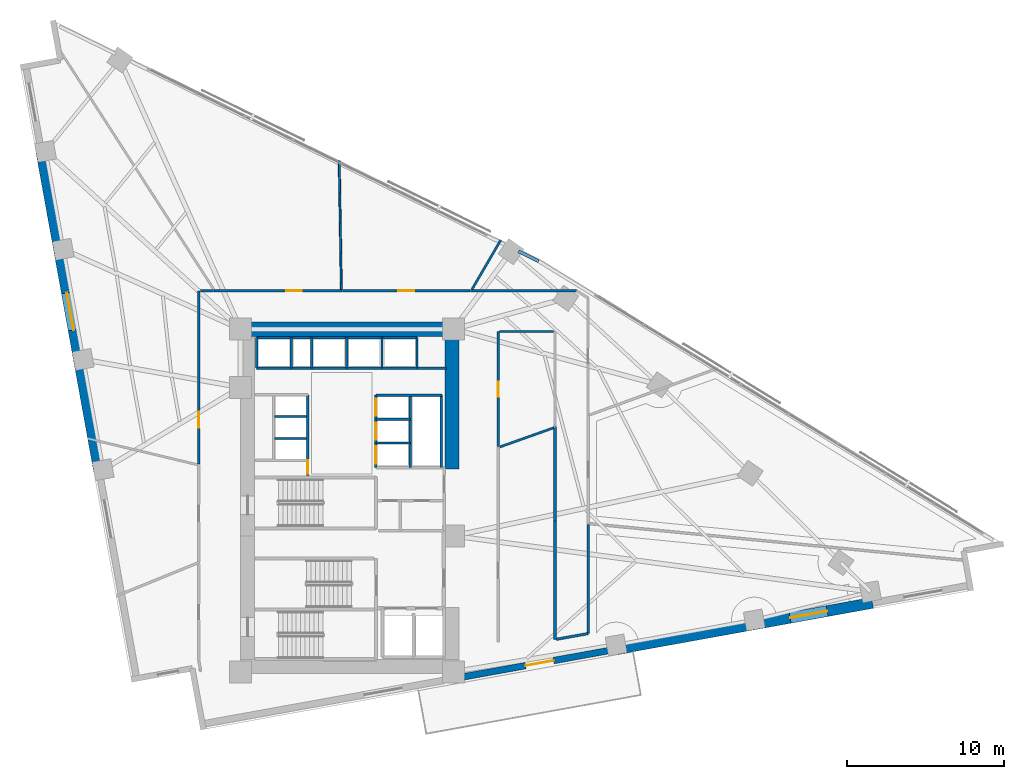
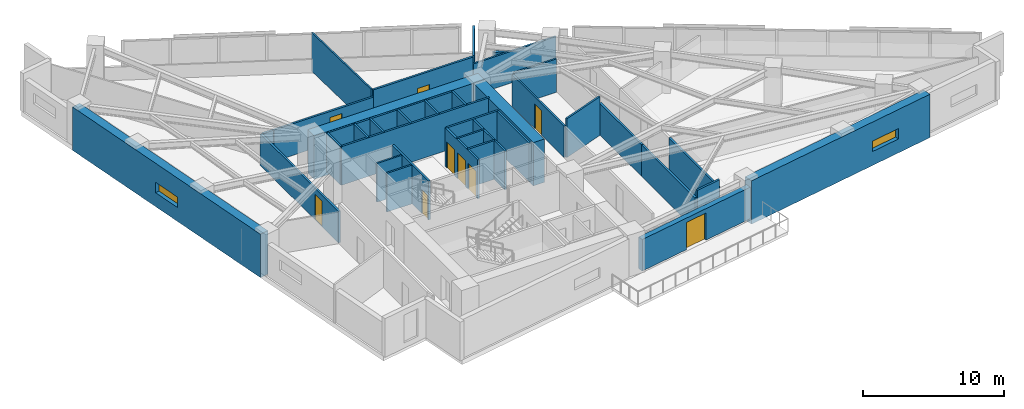
# One storey, part 14 of 18: 38 walls, 9 doors, 2 windows, 11 openings.
"""IFC4 building model written with IfcOpenShell, lengths in metres."""

from ifc_helpers import new_model, si_unit, direction, frame, frame_2d, origin, place, context, subcontext, project, spatial, rectangle, extrude, material, layer, layer_set, type_object, element, fill, save


model = new_model("IFC4")

# Units and contexts
model_context = context("Model", 3, precision=1e-05, world=origin(), true_north=direction((0.0, 1.0)))
body_context = subcontext(model_context, "Body", "Model", "MODEL_VIEW")
ifc_project = project(units=[si_unit("LENGTHUNIT", "METRE"), si_unit("AREAUNIT", "SQUARE_METRE"), si_unit("VOLUMEUNIT", "CUBIC_METRE"), si_unit("PLANEANGLEUNIT", "RADIAN"), si_unit("MASSUNIT", "GRAM", prefix="KILO")], contexts=[model_context])

# Site, building, storey
site_placement = place(None, origin())
site = spatial("IfcSite", under=ifc_project, at=site_placement, CompositionType="ELEMENT")
building_placement = place(site_placement, origin())
building = spatial("IfcBuilding", under=site, at=building_placement, Name="Narakoshi Arena Tower", CompositionType="ELEMENT")
storey_placement = place(building_placement, frame((0.0, 0.0, 95.699951171875)))
storey = spatial("IfcBuildingStorey", under=building, at=storey_placement, Name="L25", CompositionType="ELEMENT", Elevation=95.699951171875)

# Walls
ifc_material_1 = material(Name="Concrete C60/75", Category="concrete")
ifc_layer_1 = layer(ifc_material_1, 0.89990234375)
ifc_layer_set_1 = layer_set([ifc_layer_1], Name="Concrete C60/75")
wall_type_1 = type_object("IfcWallType", Name="WL-CORE-900", PredefinedType="SHEAR", material=ifc_layer_set_1)
wall_1_placement = place(storey_placement, frame((72.0, 56.5, -0.39990234375), z_axis=(0.0, 0.0, 1.0), x_axis=(1.0, 0.0, 0.0)))
element("IfcWall", 1, at=wall_1_placement, inside=storey, type_object=wall_type_1, Name="L25 Main Core Shear Wall CW-MN-N", PredefinedType="SHEAR", context=body_context, shape_type="SweptSolid", body=[
    extrude(rectangle(XDim=13.89990234375, YDim=0.89990234375, at=frame_2d((6.949951171875, 0.0))), origin(), (0.0, 0.0, 1.0), 3.739990234375),
])
wall_2_placement = place(storey_placement, frame((85.449951171875, 47.60009765625, -0.39990234375), z_axis=(0.0, 0.0, 1.0), x_axis=(0.0, 1.0, 0.0)))
element("IfcWall", 2, at=wall_2_placement, inside=storey, type_object=wall_type_1, Name="L25 Main Core Shear Wall CW-MN-E", PredefinedType="SHEAR", context=body_context, shape_type="SweptSolid", body=[
    extrude(rectangle(XDim=8.449951171875, YDim=0.89990234375, at=frame_2d((4.22509765625, 0.0))), origin(), (0.0, 0.0, 1.0), 3.739990234375),
])
ifc_material_2 = material(Name="Gypsum plasterboard fire-rated partition")
ifc_layer_2 = layer(ifc_material_2, 0.1650390625)
ifc_layer_set_2 = layer_set([ifc_layer_2], Name="Gypsum plasterboard fire-rated partition")
wall_type_2 = type_object("IfcWallType", Name="WL-CORR-165", PredefinedType="PARTITIONING", material=ifc_layer_set_2)
wall_3_placement = place(storey_placement, frame((92.0048828125, 44.284912109375, 0.0), z_axis=(0.0, 0.0, 1.0), x_axis=(0.0, -1.0, 0.0)))
element("IfcWall", 3, at=wall_3_placement, inside=storey, type_object=wall_type_2, Name="L25 Corridor Partition 04-2", PredefinedType="PARTITIONING", context=body_context, shape_type="SweptSolid", body=[
    extrude(rectangle(XDim=7.52880859375, YDim=0.1650390625, at=frame_2d((3.764404296875, 0.0))), origin(), (0.0, 0.0, 1.0), 2.72509765625),
])
wall_4_placement = place(storey_placement, frame((94.10498046875, 37.1357421875, 0.0), z_axis=(0.0, 0.0, 1.0), x_axis=(0.0, 1.0, 0.0)))
element("IfcWall", 4, at=wall_4_placement, inside=storey, type_object=wall_type_2, Name="L25 Corridor Partition 04-3", PredefinedType="PARTITIONING", context=body_context, shape_type="SweptSolid", body=[
    extrude(rectangle(XDim=6.94189453125, YDim=0.1650390625, at=frame_2d((3.470947265625, 0.0))), origin(), (0.0, 0.0, 1.0), 2.72509765625),
])
wall_5_placement = place(storey_placement, frame((92.0048828125, 50.294921875, 0.0), z_axis=(0.0, 0.0, 1.0), x_axis=(0.0, -1.0, 0.0)))
element("IfcWall", 5, at=wall_5_placement, inside=storey, type_object=wall_type_2, Name="L25 Corridor Partition 04-4", PredefinedType="PARTITIONING", context=body_context, shape_type="SweptSolid", body=[
    extrude(rectangle(XDim=5.986083984375, YDim=0.1650390625, at=frame_2d((2.9931640625, 0.0))), origin(), (0.0, 0.0, 1.0), 2.72509765625),
])
wall_6_placement = place(storey_placement, frame((92.099609375, 36.773193359375, 0.0), z_axis=(0.0, 0.0, 1.0), x_axis=(0.984047685875, 0.17790489573, 0.0)))
element("IfcWall", 6, at=wall_6_placement, inside=storey, type_object=wall_type_2, Name="L25 Corridor Partition 04-5", PredefinedType="PARTITIONING", context=body_context, shape_type="SweptSolid", body=[
    extrude(rectangle(XDim=2.037841796875, YDim=0.1650390625, at=frame_2d((1.01904296875, 0.0))), origin(), (0.0, 0.0, 1.0), 3.340087890625),
])

# Wall, opening, door
wall_7_placement = place(storey_placement, frame((78.44775390625, 58.944091796875, 0.0), z_axis=(0.0, 0.0, 1.0), x_axis=(-1.0, 0.0, 0.0)))
wall_7 = element("IfcWall", 7, at=wall_7_placement, inside=storey, type_object=wall_type_2, Name="L25 Corridor Partition 07-1", PredefinedType="PARTITIONING", context=body_context, shape_type="SweptSolid", body=[
    extrude(rectangle(XDim=8.12744140625, YDim=0.1650390625, at=frame_2d((4.063720703125, 0.0))), origin(), (0.0, 0.0, 1.0), 2.72509765625),
])
opening_1_placement = place(wall_7_placement, frame((2.5546875, 0.0, 0.0)))
opening_1 = element("IfcOpeningElement", 8, at=opening_1_placement, cuts=wall_7, Name="Opening D-06", PredefinedType="OPENING", context=body_context, shape_type="SweptSolid", body=[
    extrude(rectangle(XDim=1.0, YDim=2.199951171875, at=frame_2d((0.5, 1.10009765625))), frame((0.0, 0.092529296875, 0.0), z_axis=(0.0, -1.0, 0.0), x_axis=(1.0, 0.0, 0.0)), (0.0, 0.0, 1.0), 0.18505859375),
])
ifc_material_3 = material(Name="Stained oak solid-core timber", Category="wood")
door_type_1 = type_object("IfcDoorType", Name="DR-OFF-1000", OperationType="NOTDEFINED", PredefinedType="DOOR", material=ifc_material_3)
door_1_placement = place(opening_1_placement, frame((1.0, 0.0, 0.0), z_axis=(0.0, 0.0, 1.0), x_axis=(-1.0, 0.0, 0.0)))
door_1 = element("IfcDoor", 9, at=door_1_placement, inside=storey, type_object=door_type_1, Name="DR-L25-021", OperationType="SINGLE_SWING_LEFT", OverallHeight=2.199951171875, OverallWidth=1.0, PredefinedType="DOOR", context=body_context, shape_type="SweptSolid", body=[
    extrude(rectangle(XDim=1.0, YDim=2.199951171875, at=frame_2d((0.5, 1.10009765625))), frame((0.0, 0.02490234375, 0.0), z_axis=(0.0, -1.0, 0.0), x_axis=(1.0, 0.0, 0.0)), (0.0, 0.0, 1.0), 0.050048828125),
])
fill(opening_1, door_1)

wall_8_placement = place(storey_placement, frame((86.599365234375, 58.944091796875, 0.0), z_axis=(0.0, 0.0, 1.0), x_axis=(-1.0, 0.0, 0.0)))
wall_8 = element("IfcWall", 10, at=wall_8_placement, inside=storey, type_object=wall_type_2, Name="L25 Corridor Partition 08-1", PredefinedType="PARTITIONING", context=body_context, shape_type="SweptSolid", body=[
    extrude(rectangle(XDim=8.127685546875, YDim=0.1650390625, at=frame_2d((4.06396484375, 0.0))), origin(), (0.0, 0.0, 1.0), 3.340087890625),
])
opening_2_placement = place(wall_8_placement, frame((3.563720703125, 0.0, 0.0)))
opening_2 = element("IfcOpeningElement", 11, at=opening_2_placement, cuts=wall_8, Name="Opening D-06", PredefinedType="OPENING", context=body_context, shape_type="SweptSolid", body=[
    extrude(rectangle(XDim=1.0, YDim=2.199951171875, at=frame_2d((0.5, 1.10009765625))), frame((0.0, 0.092529296875, 0.0), z_axis=(0.0, -1.0, 0.0), x_axis=(1.0, 0.0, 0.0)), (0.0, 0.0, 1.0), 0.18505859375),
])
door_2_placement = place(opening_2_placement, frame((1.0, 0.0, 0.0), z_axis=(0.0, 0.0, 1.0), x_axis=(-1.0, 0.0, 0.0)))
door_2 = element("IfcDoor", 12, at=door_2_placement, inside=storey, type_object=door_type_1, Name="DR-L25-022", OperationType="SINGLE_SWING_RIGHT", OverallHeight=2.199951171875, OverallWidth=1.0, PredefinedType="DOOR", context=body_context, shape_type="SweptSolid", body=[
    extrude(rectangle(XDim=1.0, YDim=2.199951171875, at=frame_2d((0.5, 1.10009765625))), frame((0.0, 0.02490234375, 0.0), z_axis=(0.0, -1.0, 0.0), x_axis=(1.0, 0.0, 0.0)), (0.0, 0.0, 1.0), 0.050048828125),
])
fill(opening_2, door_2)

wall_9_placement = place(storey_placement, frame((69.344970703125, 58.944091796875, 0.0), z_axis=(0.0, 0.0, 1.0), x_axis=(0.0, -1.0, 0.0)))
wall_9 = element("IfcWall", 13, at=wall_9_placement, inside=storey, type_object=wall_type_2, Name="L25 Corridor Partition 09-1", PredefinedType="PARTITIONING", context=body_context, shape_type="SweptSolid", body=[
    extrude(rectangle(XDim=11.028076171875, YDim=0.1650390625, at=frame_2d((5.51416015625, 0.0))), origin(), (0.0, 0.0, 1.0), 2.72509765625),
])
opening_3_placement = place(wall_9_placement, frame((7.709716796875, 0.0, 0.0)))
opening_3 = element("IfcOpeningElement", 14, at=opening_3_placement, cuts=wall_9, Name="Opening D-06", PredefinedType="OPENING", context=body_context, shape_type="SweptSolid", body=[
    extrude(rectangle(XDim=1.0, YDim=2.199951171875, at=frame_2d((0.5, 1.10009765625))), frame((0.0, 0.092529296875, 0.0), z_axis=(0.0, -1.0, 0.0), x_axis=(1.0, 0.0, 0.0)), (0.0, 0.0, 1.0), 0.18505859375),
])
door_3_placement = place(opening_3_placement, frame((1.0, 0.0, 0.0), z_axis=(0.0, 0.0, 1.0), x_axis=(-1.0, 0.0, 0.0)))
door_3 = element("IfcDoor", 15, at=door_3_placement, inside=storey, type_object=door_type_1, Name="DR-L25-023", OperationType="SINGLE_SWING_LEFT", OverallHeight=2.199951171875, OverallWidth=1.0, PredefinedType="DOOR", context=body_context, shape_type="SweptSolid", body=[
    extrude(rectangle(XDim=1.0, YDim=2.199951171875, at=frame_2d((0.5, 1.10009765625))), frame((0.0, 0.02490234375, 0.0), z_axis=(0.0, -1.0, 0.0), x_axis=(1.0, 0.0, 0.0)), (0.0, 0.0, 1.0), 0.050048828125),
])
fill(opening_3, door_3)

# Wall
wall_10_placement = place(storey_placement, frame((70.291748046875, 58.944091796875, 0.0), z_axis=(0.0, 0.0, 1.0), x_axis=(-1.0, 0.0, 0.0)))
element("IfcWall", 16, at=wall_10_placement, inside=storey, type_object=wall_type_2, Name="L25 Corridor Partition 09-2", PredefinedType="PARTITIONING", context=body_context, shape_type="SweptSolid", body=[
    extrude(rectangle(XDim=0.852294921875, YDim=0.1650390625, at=frame_2d((0.42626953125, 0.0))), origin(), (0.0, 0.0, 1.0), 2.72509765625),
])

# Wall, opening, window
ifc_layer_3 = layer(ifc_material_1, 0.699951171875)
ifc_layer_set_3 = layer_set([ifc_layer_3], Name="Concrete C60/75")
wall_type_3 = type_object("IfcWallType", Name="WL-LEG-700", PredefinedType="SHEAR", material=ifc_layer_set_3)
wall_11_placement = place(storey_placement, frame((95.93798828125, 36.14599609375, -0.39990234375), z_axis=(0.0, 0.0, 1.0), x_axis=(0.984038488288, 0.177955762952, 0.0)))
wall_11 = element("IfcWall", 17, at=wall_11_placement, inside=storey, type_object=wall_type_3, Name="L25 Architectural Concrete Structural Wall LEGA-3", PredefinedType="SHEAR", context=body_context, shape_type="SweptSolid", body=[
    extrude(rectangle(XDim=16.524658203125, YDim=0.699951171875, at=frame_2d((8.26220703125, 0.0))), origin(), (0.0, 0.0, 1.0), 3.739990234375),
])
opening_4_placement = place(wall_11_placement, frame((11.199951171875, 0.0, 1.199951171875)))
opening_4 = element("IfcOpeningElement", 18, at=opening_4_placement, cuts=wall_11, Name="Opening WN-01", PredefinedType="OPENING", context=body_context, shape_type="SweptSolid", body=[
    extrude(rectangle(XDim=2.39990234375, YDim=0.89990234375, at=frame_2d((1.199951171875, 0.449951171875))), frame((0.0, 0.35986328125, 0.0), z_axis=(0.0, -1.0, 0.0), x_axis=(1.0, 0.0, 0.0)), (0.0, 0.0, 1.0), 0.719970703125),
])
ifc_material_4 = material(Name="Bronze-tinted low-E laminated glass", Category="glass")
window_type = type_object("IfcWindowType", Name="WIN-SLT-24x09", PartitioningType="SINGLE_PANEL", PredefinedType="WINDOW", material=ifc_material_4)
window_1_placement = place(opening_4_placement, origin())
window_1 = element("IfcWindow", 19, at=window_1_placement, inside=storey, type_object=window_type, Name="L25 LEGA3 Horizontal Slot Window 1", OverallHeight=0.89990234375, OverallWidth=2.39990234375, PartitioningType="SINGLE_PANEL", PredefinedType="WINDOW", context=body_context, shape_type="SweptSolid", body=[
    extrude(rectangle(XDim=2.39990234375, YDim=0.89990234375, at=frame_2d((1.199951171875, 0.449951171875))), frame((0.0, 0.030029296875, 0.0), z_axis=(0.0, -1.0, 0.0), x_axis=(1.0, 0.0, 0.0)), (0.0, 0.0, 1.0), 0.06005859375),
])
fill(opening_4, window_1)

wall_12_placement = place(storey_placement, frame((59.327880859375, 67.767822265625, -0.39990234375), z_axis=(0.0, 0.0, 1.0), x_axis=(0.177933213615, -0.984042565895, 0.0)))
wall_12 = element("IfcWall", 20, at=wall_12_placement, inside=storey, type_object=wall_type_3, Name="L25 Architectural Concrete Structural Wall LEGB-2", PredefinedType="SHEAR", context=body_context, shape_type="SweptSolid", body=[
    extrude(rectangle(XDim=20.57861328125, YDim=0.699951171875, at=frame_2d((10.289306640625, 0.0))), origin(), (0.0, 0.0, 1.0), 3.739990234375),
])
opening_5_placement = place(wall_12_placement, frame((9.10009765625, 0.0, 1.199951171875)))
opening_5 = element("IfcOpeningElement", 21, at=opening_5_placement, cuts=wall_12, Name="Opening WN-01", PredefinedType="OPENING", context=body_context, shape_type="SweptSolid", body=[
    extrude(rectangle(XDim=2.39990234375, YDim=0.89990234375, at=frame_2d((1.199951171875, 0.449951171875))), frame((0.0, 0.35986328125, 0.0), z_axis=(0.0, -1.0, 0.0), x_axis=(1.0, 0.0, 0.0)), (0.0, 0.0, 1.0), 0.719970703125),
])
window_2_placement = place(opening_5_placement, origin())
window_2 = element("IfcWindow", 22, at=window_2_placement, inside=storey, type_object=window_type, Name="L25 LEGB2 Horizontal Slot Window 1", OverallHeight=0.89990234375, OverallWidth=2.39990234375, PartitioningType="SINGLE_PANEL", PredefinedType="WINDOW", context=body_context, shape_type="SweptSolid", body=[
    extrude(rectangle(XDim=2.39990234375, YDim=0.89990234375, at=frame_2d((1.199951171875, 0.449951171875))), frame((0.0, 0.030029296875, 0.0), z_axis=(0.0, -1.0, 0.0), x_axis=(1.0, 0.0, 0.0)), (0.0, 0.0, 1.0), 0.06005859375),
])
fill(opening_5, window_2)

# Walls
ifc_material_5 = material(Name="Precast concrete C45/55", Category="concrete")
ifc_layer_4 = layer(ifc_material_5, 0.25)
ifc_layer_set_4 = layer_set([ifc_layer_4], Name="Precast concrete C45/55")
wall_type_4 = type_object("IfcWallType", Name="WL-PARA-250", PredefinedType="PARAPET", material=ifc_layer_set_4)
wall_13_placement = place(storey_placement, frame((90.96435546875, 60.821533203125, 0.0), z_axis=(0.0, 0.0, 1.0), x_axis=(-0.898000468284, 0.439994498787, 0.0)))
element("IfcWall", 23, at=wall_13_placement, inside=storey, type_object=wall_type_4, Name="L25 Hypotenuse Sill Upstand Parapet 2-01", PredefinedType="PARAPET", context=body_context, shape_type="SweptSolid", body=[
    extrude(rectangle(XDim=1.42333984375, YDim=0.199951171875, at=frame_2d((0.711669921875, 0.0))), origin(), (0.0, 0.0, 1.0), 1.150146484375),
])
ifc_layer_5 = layer(ifc_material_2, 0.125)
ifc_layer_set_5 = layer_set([ifc_layer_5], Name="Gypsum plasterboard fire-rated partition")
wall_type_5 = type_object("IfcWallType", Name="WL-PART-125", PredefinedType="PARTITIONING", material=ifc_layer_set_5)
wall_14_placement = place(storey_placement, frame((78.273681640625, 67.218017578125, 0.0), z_axis=(0.0, 0.0, 1.0), x_axis=(0.016682750971, -0.999860833226, 0.0)))
element("IfcWall", 24, at=wall_14_placement, inside=storey, type_object=wall_type_5, Name="L25 Inter-Room Partition 07-08", PredefinedType="PARTITIONING", context=body_context, shape_type="SweptSolid", body=[
    extrude(rectangle(XDim=8.1806640625, YDim=0.125, at=frame_2d((4.09033203125, 0.0))), origin(), (0.0, 0.0, 1.0), 3.340087890625),
])

# Wall, opening, door
ifc_layer_6 = layer(ifc_material_5, 0.419921875)
ifc_layer_set_6 = layer_set([ifc_layer_6], Name="Precast concrete C45/55")
wall_type_6 = type_object("IfcWallType", Name="WL-POD-420", PredefinedType="SOLIDWALL", material=ifc_layer_set_6)
wall_15_placement = place(storey_placement, frame((86.10009765625, 34.3671875, 0.0), z_axis=(0.0, 0.0, 1.0), x_axis=(0.9840437071, 0.177926902172, 0.0)))
wall_15 = element("IfcWall", 25, at=wall_15_placement, inside=storey, type_object=wall_type_6, Name="L25 Architectural Concrete Facade Wall LEGA-2", PredefinedType="SOLIDWALL", context=body_context, shape_type="SweptSolid", body=[
    extrude(rectangle(XDim=9.997314453125, YDim=0.419921875, at=frame_2d((4.99853515625, 0.0))), origin(), (0.0, 0.0, 1.0), 2.72509765625),
])
opening_6_placement = place(wall_15_placement, frame((4.098876953125, 0.0, 0.0)))
opening_6 = element("IfcOpeningElement", 26, at=opening_6_placement, cuts=wall_15, Name="Opening D-11", PredefinedType="OPENING", context=body_context, shape_type="SweptSolid", body=[
    extrude(rectangle(XDim=1.800048828125, YDim=2.35009765625, at=frame_2d((0.89990234375, 1.175048828125))), frame((0.0, 0.219970703125, 0.0), z_axis=(0.0, -1.0, 0.0), x_axis=(1.0, 0.0, 0.0)), (0.0, 0.0, 1.0), 0.43994140625),
])
ifc_material_6 = material(Name="Anodised bronze aluminium 6063-T6", Category="aluminium")
door_type_2 = type_object("IfcDoorType", Name="DR-TER-1800", OperationType="DOUBLE_DOOR_SLIDING", PredefinedType="DOOR", material=ifc_material_6)
door_4_placement = place(opening_6_placement, origin())
door_4 = element("IfcDoor", 27, at=door_4_placement, inside=storey, type_object=door_type_2, Name="DR-L25-001", OperationType="DOUBLE_DOOR_SLIDING", OverallHeight=2.35009765625, OverallWidth=1.800048828125, PredefinedType="DOOR", context=body_context, shape_type="SweptSolid", body=[
    extrude(rectangle(XDim=1.800048828125, YDim=2.35009765625, at=frame_2d((0.89990234375, 1.175048828125))), frame((0.0, 0.02490234375, 0.0), z_axis=(0.0, -1.0, 0.0), x_axis=(1.0, 0.0, 0.0)), (0.0, 0.0, 1.0), 0.050048828125),
])
fill(opening_6, door_4)

# Walls
ifc_material_7 = material(Name="Concrete C40/50", Category="concrete")
ifc_layer_7 = layer(ifc_material_7, 0.280029296875)
ifc_layer_set_7 = layer_set([ifc_layer_7], Name="Concrete C40/50")
wall_type_7 = type_object("IfcWallType", Name="WL-RISER-280", PredefinedType="PLUMBINGWALL", material=ifc_layer_set_7)
for number, where, z_axis, x_axis, name in (
    (28, (74.14990234375, 49.550048828125, 0.0), (0.0, 0.0, 1.0), (1.0, 0.0, 0.0), "L25 Core Wall LR-D1"),
    (29, (74.14990234375, 50.949951171875, 0.0), (0.0, 0.0, 1.0), (1.0, 0.0, 0.0), "L25 Core Wall LR-D2"),
):
    element("IfcWall", number, at=place(storey_placement, frame(where, z_axis=z_axis, x_axis=x_axis)), inside=storey, type_object=wall_type_7, Name=name, PredefinedType="PLUMBINGWALL", context=body_context, shape_type="SweptSolid", body=[
        extrude(rectangle(XDim=2.0400390625, YDim=0.139892578125, at=frame_2d((1.02001953125, 0.0))), origin(), (0.0, 0.0, 1.0), 3.340087890625),
    ])
for number, where, z_axis, x_axis, name in (
    (30, (80.60009765625, 49.260009765625, 0.0), (0.0, 0.0, 1.0), (1.0, 0.0, 0.0), "L25 Core Wall MR-D1"),
    (31, (80.60009765625, 50.780029296875, 0.0), (0.0, 0.0, 1.0), (1.0, 0.0, 0.0), "L25 Core Wall MR-D2"),
):
    element("IfcWall", number, at=place(storey_placement, frame(where, z_axis=z_axis, x_axis=x_axis)), inside=storey, type_object=wall_type_7, Name=name, PredefinedType="PLUMBINGWALL", context=body_context, shape_type="SweptSolid", body=[
        extrude(rectangle(XDim=2.199951171875, YDim=0.14990234375, at=frame_2d((1.10009765625, 0.0))), origin(), (0.0, 0.0, 1.0), 3.340087890625),
    ])
wall_16_placement = place(storey_placement, frame((82.800048828125, 47.699951171875, 0.0), z_axis=(0.0, 0.0, 1.0), x_axis=(0.0, 1.0, 0.0)))
element("IfcWall", 32, at=wall_16_placement, inside=storey, type_object=wall_type_7, Name="L25 Core Wall MR-E", PredefinedType="PLUMBINGWALL", context=body_context, shape_type="SweptSolid", body=[
    extrude(rectangle(XDim=4.60009765625, YDim=0.14990234375, at=frame_2d((2.300048828125, 0.0))), origin(), (0.0, 0.0, 1.0), 3.340087890625),
])
for number, where, z_axis, x_axis, name in (
    (33, (73.02001953125, 54.02001953125, 0.0), (0.0, 0.0, 1.0), (0.0, 1.0, 0.0), "L25 Core Wall OBS-W"),
    (34, (75.219970703125, 54.02001953125, 0.0), (0.0, 0.0, 1.0), (0.0, 1.0, 0.0), "L25 Core Wall OBS-M"),
):
    element("IfcWall", number, at=place(storey_placement, frame(where, z_axis=z_axis, x_axis=x_axis)), inside=storey, type_object=wall_type_7, Name=name, PredefinedType="PLUMBINGWALL", context=body_context, shape_type="SweptSolid", body=[
        extrude(rectangle(XDim=1.93994140625, YDim=0.14990234375, at=frame_2d((0.969970703125, 0.0))), origin(), (0.0, 0.0, 1.0), 3.340087890625),
    ])
for number, where, z_axis, x_axis, name in (
    (35, (78.75, 54.02001953125, 0.0), (0.0, 0.0, 1.0), (0.0, 1.0, 0.0), "L25 Core Wall HR-D1"),
    (36, (81.0, 54.02001953125, 0.0), (0.0, 0.0, 1.0), (0.0, 1.0, 0.0), "L25 Core Wall HR-D2"),
):
    element("IfcWall", number, at=place(storey_placement, frame(where, z_axis=z_axis, x_axis=x_axis)), inside=storey, type_object=wall_type_7, Name=name, PredefinedType="PLUMBINGWALL", context=body_context, shape_type="SweptSolid", body=[
        extrude(rectangle(XDim=1.9599609375, YDim=0.14990234375, at=frame_2d((0.97998046875, 0.0))), origin(), (0.0, 0.0, 1.0), 3.340087890625),
    ])

# Wall, opening, door
ifc_material_8 = material(Name="Concrete C50/60", Category="concrete")
ifc_layer_8 = layer(ifc_material_8, 0.35009765625)
ifc_layer_set_8 = layer_set([ifc_layer_8], Name="Concrete C50/60")
wall_type_8 = type_object("IfcWallType", Name="WL-SHAFT-350", PredefinedType="SOLIDWALL", material=ifc_layer_set_8)
wall_17_placement = place(storey_placement, frame((76.280029296875, 47.179931640625, 0.0), z_axis=(0.0, 0.0, 1.0), x_axis=(0.0, 1.0, 0.0)))
wall_17 = element("IfcWall", 37, at=wall_17_placement, inside=storey, type_object=wall_type_8, Name="L25 Core Wall LR-E", PredefinedType="SOLIDWALL", context=body_context, shape_type="SweptSolid", body=[
    extrude(rectangle(XDim=5.14013671875, YDim=0.159912109375, at=frame_2d((2.570068359375, 0.0))), origin(), (0.0, 0.0, 1.0), 3.340087890625),
])
opening_7_placement = place(wall_17_placement, frame((0.1201171875, 0.0, 0.0)))
opening_7 = element("IfcOpeningElement", 38, at=opening_7_placement, cuts=wall_17, Name="Opening D-10", PredefinedType="OPENING", context=body_context, shape_type="SweptSolid", body=[
    extrude(rectangle(XDim=0.85009765625, YDim=2.050048828125, at=frame_2d((0.425048828125, 1.02490234375))), frame((0.0, 0.08984375, 0.0), z_axis=(0.0, -1.0, 0.0), x_axis=(1.0, 0.0, 0.0)), (0.0, 0.0, 1.0), 0.179931640625),
])
ifc_material_9 = material(Name="Painted galvanized steel", Category="steel")
door_type_3 = type_object("IfcDoorType", Name="DR-RSR-850", OperationType="NOTDEFINED", PredefinedType="DOOR", material=ifc_material_9)
door_5_placement = place(opening_7_placement, frame((0.85009765625, 0.0, 0.0), z_axis=(0.0, 0.0, 1.0), x_axis=(-1.0, 0.0, 0.0)))
door_5 = element("IfcDoor", 39, at=door_5_placement, inside=storey, type_object=door_type_3, Name="DR-L25-011", OperationType="SINGLE_SWING_LEFT", OverallHeight=2.050048828125, OverallWidth=0.85009765625, PredefinedType="DOOR", context=body_context, shape_type="SweptSolid", body=[
    extrude(rectangle(XDim=0.85009765625, YDim=2.050048828125, at=frame_2d((0.425048828125, 1.02490234375))), frame((0.0, 0.02490234375, 0.0), z_axis=(0.0, -1.0, 0.0), x_axis=(1.0, 0.0, 0.0)), (0.0, 0.0, 1.0), 0.050048828125),
])
fill(opening_7, door_5)

# Wall, openings, doors
wall_18_placement = place(storey_placement, frame((80.60009765625, 47.699951171875, 0.0), z_axis=(0.0, 0.0, 1.0), x_axis=(0.0, 1.0, 0.0)))
wall_18 = element("IfcWall", 40, at=wall_18_placement, inside=storey, type_object=wall_type_8, Name="L25 Core Wall MR-W", PredefinedType="SOLIDWALL", context=body_context, shape_type="SweptSolid", body=[
    extrude(rectangle(XDim=4.60009765625, YDim=0.159912109375, at=frame_2d((2.300048828125, 0.0))), origin(), (0.0, 0.0, 1.0), 3.340087890625),
])
opening_8_placement = place(wall_18_placement, frame((0.239990234375, 0.0, 0.0)))
opening_8 = element("IfcOpeningElement", 41, at=opening_8_placement, cuts=wall_18, Name="Opening LD-01", PredefinedType="OPENING", context=body_context, shape_type="SweptSolid", body=[
    extrude(rectangle(XDim=1.10009765625, YDim=2.25, at=frame_2d((0.550048828125, 1.125))), frame((0.0, 0.08984375, 0.0), z_axis=(0.0, -1.0, 0.0), x_axis=(1.0, 0.0, 0.0)), (0.0, 0.0, 1.0), 0.179931640625),
])
opening_9_placement = place(wall_18_placement, frame((1.760009765625, 0.0, 0.0)))
opening_9 = element("IfcOpeningElement", 42, at=opening_9_placement, cuts=wall_18, Name="Opening LD-01", PredefinedType="OPENING", context=body_context, shape_type="SweptSolid", body=[
    extrude(rectangle(XDim=1.10009765625, YDim=2.25, at=frame_2d((0.550048828125, 1.125))), frame((0.0, 0.08984375, 0.0), z_axis=(0.0, -1.0, 0.0), x_axis=(1.0, 0.0, 0.0)), (0.0, 0.0, 1.0), 0.179931640625),
])
opening_10_placement = place(wall_18_placement, frame((3.280029296875, 0.0, 0.0)))
opening_10 = element("IfcOpeningElement", 43, at=opening_10_placement, cuts=wall_18, Name="Opening LD-01", PredefinedType="OPENING", context=body_context, shape_type="SweptSolid", body=[
    extrude(rectangle(XDim=1.10009765625, YDim=2.25, at=frame_2d((0.550048828125, 1.125))), frame((0.0, 0.08984375, 0.0), z_axis=(0.0, -1.0, 0.0), x_axis=(1.0, 0.0, 0.0)), (0.0, 0.0, 1.0), 0.179931640625),
])
ifc_material_10 = material(Name="Brushed bronze stainless steel", Category="steel")
door_type_4 = type_object("IfcDoorType", Name="DR-LFT-1100", OperationType="DOUBLE_DOOR_SLIDING", PredefinedType="DOOR", material=ifc_material_10)
door_6_placement = place(opening_8_placement, frame((1.10009765625, 0.0, 0.0), z_axis=(0.0, 0.0, 1.0), x_axis=(-1.0, 0.0, 0.0)))
door_6 = element("IfcDoor", 44, at=door_6_placement, inside=storey, type_object=door_type_4, Name="DR-L25-012", OperationType="DOUBLE_DOOR_SLIDING", OverallHeight=2.25, OverallWidth=1.10009765625, PredefinedType="DOOR", context=body_context, shape_type="SweptSolid", body=[
    extrude(rectangle(XDim=1.10009765625, YDim=2.25, at=frame_2d((0.550048828125, 1.125))), frame((0.0, 0.02490234375, 0.0), z_axis=(0.0, -1.0, 0.0), x_axis=(1.0, 0.0, 0.0)), (0.0, 0.0, 1.0), 0.050048828125),
])
fill(opening_8, door_6)
door_7_placement = place(opening_9_placement, frame((1.10009765625, 0.0, 0.0), z_axis=(0.0, 0.0, 1.0), x_axis=(-1.0, 0.0, 0.0)))
door_7 = element("IfcDoor", 45, at=door_7_placement, inside=storey, type_object=door_type_4, Name="DR-L25-013", OperationType="DOUBLE_DOOR_SLIDING", OverallHeight=2.25, OverallWidth=1.10009765625, PredefinedType="DOOR", context=body_context, shape_type="SweptSolid", body=[
    extrude(rectangle(XDim=1.10009765625, YDim=2.25, at=frame_2d((0.550048828125, 1.125))), frame((0.0, 0.02490234375, 0.0), z_axis=(0.0, -1.0, 0.0), x_axis=(1.0, 0.0, 0.0)), (0.0, 0.0, 1.0), 0.050048828125),
])
fill(opening_9, door_7)
door_8_placement = place(opening_10_placement, frame((1.10009765625, 0.0, 0.0), z_axis=(0.0, 0.0, 1.0), x_axis=(-1.0, 0.0, 0.0)))
door_8 = element("IfcDoor", 46, at=door_8_placement, inside=storey, type_object=door_type_4, Name="DR-L25-014", OperationType="DOUBLE_DOOR_SLIDING", OverallHeight=2.25, OverallWidth=1.10009765625, PredefinedType="DOOR", context=body_context, shape_type="SweptSolid", body=[
    extrude(rectangle(XDim=1.10009765625, YDim=2.25, at=frame_2d((0.550048828125, 1.125))), frame((0.0, 0.02490234375, 0.0), z_axis=(0.0, -1.0, 0.0), x_axis=(1.0, 0.0, 0.0)), (0.0, 0.0, 1.0), 0.050048828125),
])
fill(opening_10, door_8)

# Walls
wall_19_placement = place(storey_placement, frame((80.60009765625, 52.300048828125, 0.0), z_axis=(0.0, 0.0, 1.0), x_axis=(1.0, 0.0, 0.0)))
element("IfcWall", 47, at=wall_19_placement, inside=storey, type_object=wall_type_8, Name="L25 Core Wall MR-N", PredefinedType="SOLIDWALL", context=body_context, shape_type="SweptSolid", body=[
    extrude(rectangle(XDim=4.219970703125, YDim=0.159912109375, at=frame_2d((2.10986328125, 0.0))), origin(), (0.0, 0.0, 1.0), 3.340087890625),
])
wall_20_placement = place(storey_placement, frame((84.780029296875, 47.699951171875, 0.0), z_axis=(0.0, 0.0, 1.0), x_axis=(0.0, 1.0, 0.0)))
element("IfcWall", 48, at=wall_20_placement, inside=storey, type_object=wall_type_8, Name="L25 Core Wall MR-E2", PredefinedType="SOLIDWALL", context=body_context, shape_type="SweptSolid", body=[
    extrude(rectangle(XDim=4.60009765625, YDim=0.159912109375, at=frame_2d((2.300048828125, 0.0))), origin(), (0.0, 0.0, 1.0), 3.340087890625),
])
wall_21_placement = place(storey_placement, frame((73.02001953125, 54.02001953125, 0.0), z_axis=(0.0, 0.0, 1.0), x_axis=(1.0, 0.0, 0.0)))
element("IfcWall", 49, at=wall_21_placement, inside=storey, type_object=wall_type_8, Name="L25 Core Wall NSHF-S", PredefinedType="SOLIDWALL", context=body_context, shape_type="SweptSolid", body=[
    extrude(rectangle(XDim=12.080078125, YDim=0.159912109375, at=frame_2d((6.0400390625, 0.0))), origin(), (0.0, 0.0, 1.0), 3.340087890625),
])
wall_22_placement = place(storey_placement, frame((73.02001953125, 55.9599609375, 0.0), z_axis=(0.0, 0.0, 1.0), x_axis=(1.0, 0.0, 0.0)))
element("IfcWall", 50, at=wall_22_placement, inside=storey, type_object=wall_type_8, Name="L25 Core Wall OBS-N", PredefinedType="SOLIDWALL", context=body_context, shape_type="SweptSolid", body=[
    extrude(rectangle(XDim=3.5, YDim=0.14990234375, at=frame_2d((1.75, 0.0))), origin(), (0.0, 0.0, 1.0), 3.340087890625),
])
wall_23_placement = place(storey_placement, frame((76.52001953125, 54.02001953125, 0.0), z_axis=(0.0, 0.0, 1.0), x_axis=(0.0, 1.0, 0.0)))
element("IfcWall", 51, at=wall_23_placement, inside=storey, type_object=wall_type_8, Name="L25 Core Wall OBS-E", PredefinedType="SOLIDWALL", context=body_context, shape_type="SweptSolid", body=[
    extrude(rectangle(XDim=1.93994140625, YDim=0.14990234375, at=frame_2d((0.969970703125, 0.0))), origin(), (0.0, 0.0, 1.0), 3.340087890625),
])
wall_24_placement = place(storey_placement, frame((83.219970703125, 54.02001953125, 0.0), z_axis=(0.0, 0.0, 1.0), x_axis=(0.0, 1.0, 0.0)))
element("IfcWall", 52, at=wall_24_placement, inside=storey, type_object=wall_type_8, Name="L25 Core Wall HR-E", PredefinedType="SOLIDWALL", context=body_context, shape_type="SweptSolid", body=[
    extrude(rectangle(XDim=1.9599609375, YDim=0.14990234375, at=frame_2d((0.97998046875, 0.0))), origin(), (0.0, 0.0, 1.0), 3.340087890625),
])
wall_25_placement = place(storey_placement, frame((76.52001953125, 55.9599609375, 0.0), z_axis=(0.0, 0.0, 1.0), x_axis=(1.0, 0.0, 0.0)))
element("IfcWall", 53, at=wall_25_placement, inside=storey, type_object=wall_type_8, Name="L25 Core Wall HR-N", PredefinedType="SOLIDWALL", context=body_context, shape_type="SweptSolid", body=[
    extrude(rectangle(XDim=6.699951171875, YDim=0.14990234375, at=frame_2d((3.35009765625, 0.0))), origin(), (0.0, 0.0, 1.0), 3.340087890625),
])
ifc_material_11 = material(Name="Moisture-resistant cement-board partition")
ifc_layer_9 = layer(ifc_material_11, 0.14501953125)
ifc_layer_set_9 = layer_set([ifc_layer_9], Name="Moisture-resistant cement-board partition")
wall_type_9 = type_object("IfcWallType", Name="WL-WET-145", PredefinedType="PARTITIONING", material=ifc_layer_set_9)
wall_26_placement = place(storey_placement, frame((88.494384765625, 49.0087890625, 0.0), z_axis=(0.0, 0.0, 1.0), x_axis=(0.942234527784, 0.334953869439, 0.0)))
element("IfcWall", 54, at=wall_26_placement, inside=storey, type_object=wall_type_9, Name="L25 Inter-Room Partition 04-05", PredefinedType="PARTITIONING", context=body_context, shape_type="SweptSolid", body=[
    extrude(rectangle(XDim=3.62548828125, YDim=0.14501953125, at=frame_2d((1.812744140625, 0.0))), origin(), (0.0, 0.0, 1.0), 3.340087890625),
])

# Wall, opening, door
wall_27_placement = place(storey_placement, frame((88.39990234375, 49.03515625, 0.0), z_axis=(0.0, 0.0, 1.0), x_axis=(0.0, 1.0, 0.0)))
wall_27 = element("IfcWall", 55, at=wall_27_placement, inside=storey, type_object=wall_type_9, Name="L25 Corridor Partition 05-1", PredefinedType="PARTITIONING", context=body_context, shape_type="SweptSolid", body=[
    extrude(rectangle(XDim=7.31494140625, YDim=0.14501953125, at=frame_2d((3.657470703125, 0.0))), origin(), (0.0, 0.0, 1.0), 2.72509765625),
])
opening_11_placement = place(wall_27_placement, frame((3.182373046875, 0.0, 0.0)))
opening_11 = element("IfcOpeningElement", 56, at=opening_11_placement, cuts=wall_27, Name="Opening D-07", PredefinedType="OPENING", context=body_context, shape_type="SweptSolid", body=[
    extrude(rectangle(XDim=0.949951171875, YDim=2.14990234375, at=frame_2d((0.47509765625, 1.074951171875))), frame((0.0, 0.08251953125, 0.0), z_axis=(0.0, -1.0, 0.0), x_axis=(1.0, 0.0, 0.0)), (0.0, 0.0, 1.0), 0.1650390625),
])
door_type_5 = type_object("IfcDoorType", Name="DR-ACC-950", OperationType="NOTDEFINED", PredefinedType="DOOR", material=ifc_material_3)
door_9_placement = place(opening_11_placement, frame((0.949951171875, 0.0, 0.0), z_axis=(0.0, 0.0, 1.0), x_axis=(-1.0, 0.0, 0.0)))
door_9 = element("IfcDoor", 57, at=door_9_placement, inside=storey, type_object=door_type_5, Name="DR-L25-019", OperationType="SINGLE_SWING_LEFT", OverallHeight=2.14990234375, OverallWidth=0.949951171875, PredefinedType="DOOR", context=body_context, shape_type="SweptSolid", body=[
    extrude(rectangle(XDim=0.949951171875, YDim=2.14990234375, at=frame_2d((0.47509765625, 1.074951171875))), frame((0.0, 0.02490234375, 0.0), z_axis=(0.0, -1.0, 0.0), x_axis=(1.0, 0.0, 0.0)), (0.0, 0.0, 1.0), 0.050048828125),
])
fill(opening_11, door_9)

# Walls
wall_28_placement = place(storey_placement, frame((88.484619140625, 56.35009765625, 0.0), z_axis=(0.0, 0.0, 1.0), x_axis=(1.0, 0.0, 0.0)))
element("IfcWall", 58, at=wall_28_placement, inside=storey, type_object=wall_type_9, Name="L25 Corridor Partition 05-3", PredefinedType="PARTITIONING", context=body_context, shape_type="SweptSolid", body=[
    extrude(rectangle(XDim=3.435791015625, YDim=0.14501953125, at=frame_2d((1.7177734375, 0.0))), origin(), (0.0, 0.0, 1.0), 2.875),
])
wall_29_placement = place(storey_placement, frame((93.370361328125, 58.944091796875, 0.0), z_axis=(0.0, 0.0, 1.0), x_axis=(-1.0, 0.0, 0.0)))
element("IfcWall", 59, at=wall_29_placement, inside=storey, type_object=wall_type_9, Name="L25 Corridor Partition 06-2", PredefinedType="PARTITIONING", context=body_context, shape_type="SweptSolid", body=[
    extrude(rectangle(XDim=6.7431640625, YDim=0.14501953125, at=frame_2d((3.37158203125, 0.0))), origin(), (0.0, 0.0, 1.0), 2.72509765625),
])
wall_30_placement = place(storey_placement, frame((86.71826171875, 59.028564453125, 0.0), z_axis=(0.0, 0.0, 1.0), x_axis=(0.503866864473, 0.863781328165, 0.0)))
element("IfcWall", 60, at=wall_30_placement, inside=storey, type_object=wall_type_9, Name="L25 Inter-Room Partition 06-08", PredefinedType="PARTITIONING", context=body_context, shape_type="SweptSolid", body=[
    extrude(rectangle(XDim=3.64794921875, YDim=0.14501953125, at=frame_2d((1.823974609375, 0.0))), origin(), (0.0, 0.0, 1.0), 3.340087890625),
])

save(model, "model.ifc")
